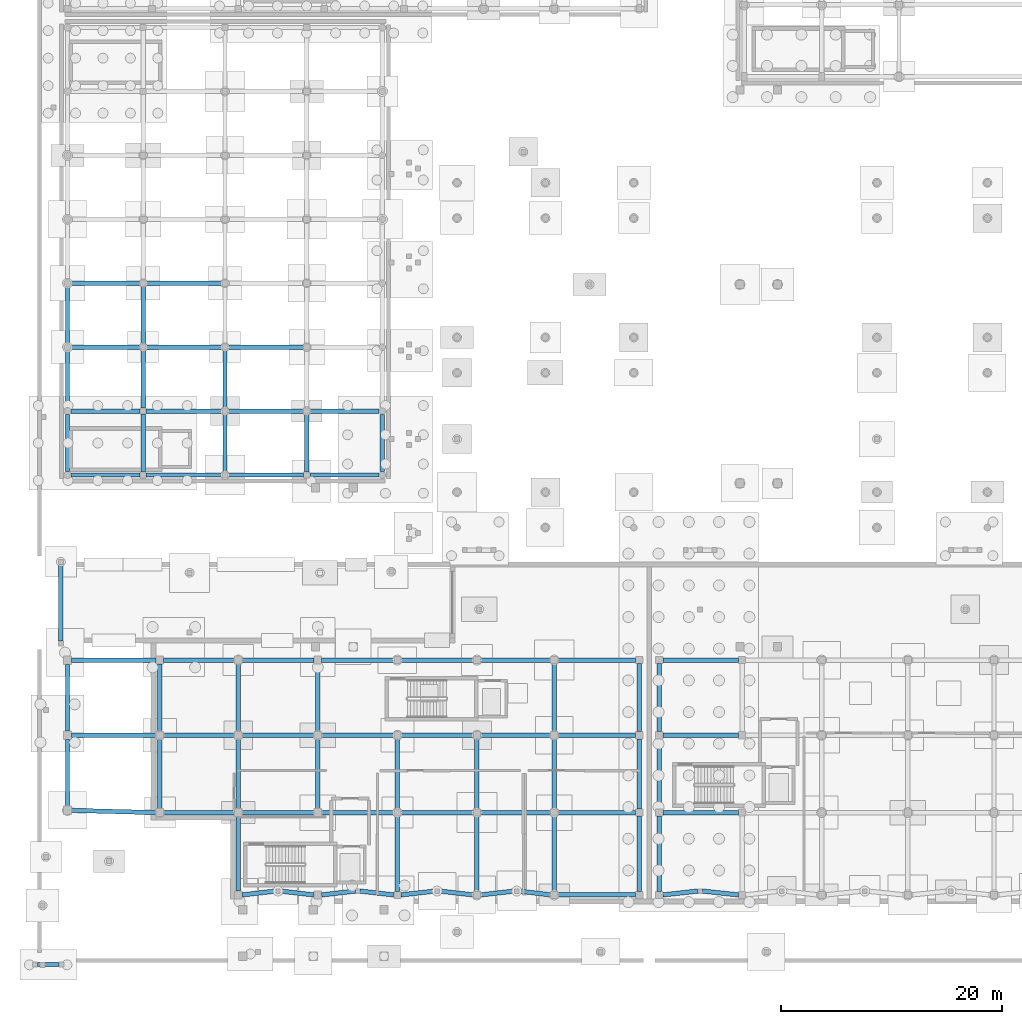
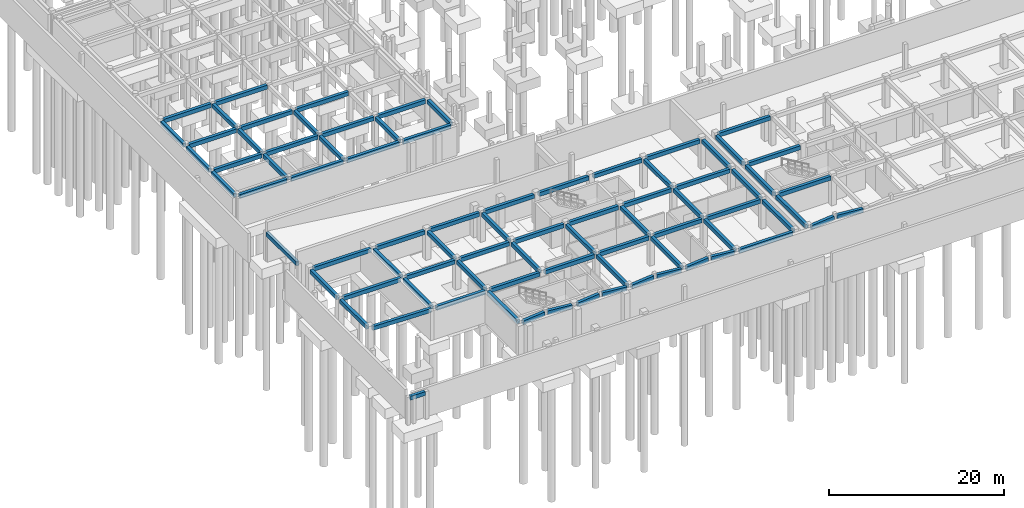
# One storey, part 10 of 22: 82 beams.
"""IFC4 building model written with IfcOpenShell, lengths in metres."""

from ifc_helpers import new_model, si_unit, direction, frame, origin, origin_2d, place, context, subcontext, project, spatial, rectangle, extrude, material, material_profile, profile_set, type_object, element, save


model = new_model("IFC4")

# Units and contexts
model_context = context("Model", 3, precision=1e-05, world=origin(), true_north=direction((0.0, 1.0)))
body_context = subcontext(model_context, "Body", "Model", "MODEL_VIEW")
ifc_project = project(units=[si_unit("LENGTHUNIT", "METRE"), si_unit("AREAUNIT", "SQUARE_METRE"), si_unit("VOLUMEUNIT", "CUBIC_METRE"), si_unit("PLANEANGLEUNIT", "RADIAN"), si_unit("MASSUNIT", "GRAM", prefix="KILO")], contexts=[model_context])

# Site, building, storey
site_placement = place(None, origin())
site = spatial("IfcSite", under=ifc_project, at=site_placement, CompositionType="ELEMENT")
building_placement = place(site_placement, origin())
building = spatial("IfcBuilding", under=site, at=building_placement, Name="Valcora Specialist Clinic", CompositionType="ELEMENT")
storey_placement = place(building_placement, frame((0.0, 0.0, -4.419921875)))
storey = spatial("IfcBuildingStorey", under=building, at=storey_placement, Name="B1", CompositionType="ELEMENT", Elevation=-4.419921875)

# Beams
ifc_material = material(Name="Concrete C35/45", Category="concrete")
ifc_material_profile = material_profile(ifc_material, rectangle(XDim=0.39990234375, YDim=0.550048828125, at=origin_2d()), Name="RC-TB-400X550")
ifc_profile_set = profile_set([ifc_material_profile], Name="Concrete C35/45")
beam_type = type_object("IfcBeamType", Name="TY-BM-TB400X550", PredefinedType="BEAM", material=ifc_profile_set)
beam_1_placement = place(storey_placement, frame((1.074951171875, 38.75, 3.844970703125), z_axis=(1.0, 0.0, 0.0), x_axis=(0.0, 1.0, 0.0)))
element("IfcBeam", 1, at=beam_1_placement, inside=storey, type_object=beam_type, Name="Beam BM-B1-0001", PredefinedType="BEAM", context=body_context, shape_type="SweptSolid", body=[
    extrude(rectangle(XDim=0.39990234375, YDim=0.550048828125, at=origin_2d()), origin(), (0.0, 0.0, 1.0), 6.25),
])
for number, where, z_axis, x_axis, name in (
    (2, (7.875, 38.75, 3.844970703125), (1.0, 0.0, 0.0), (0.0, 1.0, 0.0), "Beam BM-B1-0002"),
    (3, (15.27490234375, 38.75, 3.844970703125), (1.0, 0.0, 0.0), (0.0, 1.0, 0.0), "Beam BM-B1-0003"),
):
    element("IfcBeam", number, at=place(storey_placement, frame(where, z_axis=z_axis, x_axis=x_axis)), inside=storey, type_object=beam_type, Name=name, PredefinedType="BEAM", context=body_context, shape_type="SweptSolid", body=[
        extrude(rectangle(XDim=0.39990234375, YDim=0.550048828125, at=origin_2d()), origin(), (0.0, 0.0, 1.0), 6.85009765625),
    ])
beam_2_placement = place(storey_placement, frame((22.675048828125, 38.75, 3.844970703125), z_axis=(1.0, 0.0, 0.0), x_axis=(0.0, 1.0, 0.0)))
element("IfcBeam", 4, at=beam_2_placement, inside=storey, type_object=beam_type, Name="Beam BM-B1-0004", PredefinedType="BEAM", context=body_context, shape_type="SweptSolid", body=[
    extrude(rectangle(XDim=0.39990234375, YDim=0.550048828125, at=origin_2d()), origin(), (0.0, 0.0, 1.0), 6.27490234375),
])
beam_3_placement = place(storey_placement, frame((1.074951171875, 44.535888671875, 3.844970703125), z_axis=(1.0, 0.0, 0.0), x_axis=(0.0, 1.0, 0.0)))
element("IfcBeam", 5, at=beam_3_placement, inside=storey, type_object=beam_type, Name="Beam BM-B1-0005", PredefinedType="BEAM", context=body_context, shape_type="SweptSolid", body=[
    extrude(rectangle(XDim=0.39990234375, YDim=0.550048828125, at=origin_2d()), origin(), (0.0, 0.0, 1.0), 6.25),
])
for number, where, z_axis, x_axis, name in (
    (6, (7.875, 44.535888671875, 3.844970703125), (1.0, 0.0, 0.0), (0.0, 1.0, 0.0), "Beam BM-B1-0006"),
    (7, (15.27490234375, 44.535888671875, 3.844970703125), (1.0, 0.0, 0.0), (0.0, 1.0, 0.0), "Beam BM-B1-0007"),
):
    element("IfcBeam", number, at=place(storey_placement, frame(where, z_axis=z_axis, x_axis=x_axis)), inside=storey, type_object=beam_type, Name=name, PredefinedType="BEAM", context=body_context, shape_type="SweptSolid", body=[
        extrude(rectangle(XDim=0.39990234375, YDim=0.550048828125, at=origin_2d()), origin(), (0.0, 0.0, 1.0), 6.85009765625),
    ])
beam_4_placement = place(storey_placement, frame((22.675048828125, 44.535888671875, 3.844970703125), z_axis=(1.0, 0.0, 0.0), x_axis=(0.0, 1.0, 0.0)))
element("IfcBeam", 8, at=beam_4_placement, inside=storey, type_object=beam_type, Name="Beam BM-B1-0008", PredefinedType="BEAM", context=body_context, shape_type="SweptSolid", body=[
    extrude(rectangle(XDim=0.39990234375, YDim=0.550048828125, at=origin_2d()), origin(), (0.0, 0.0, 1.0), 6.27490234375),
])
beam_5_placement = place(storey_placement, frame((1.074951171875, 50.321044921875, 3.844970703125), z_axis=(1.0, 0.0, 0.0), x_axis=(0.0, 1.0, 0.0)))
element("IfcBeam", 9, at=beam_5_placement, inside=storey, type_object=beam_type, Name="Beam BM-B1-0009", PredefinedType="BEAM", context=body_context, shape_type="SweptSolid", body=[
    extrude(rectangle(XDim=0.39990234375, YDim=0.550048828125, at=origin_2d()), origin(), (0.0, 0.0, 1.0), 6.25),
])
for number, where, z_axis, x_axis, name in (
    (10, (7.875, 50.321044921875, 3.844970703125), (1.0, 0.0, 0.0), (0.0, 1.0, 0.0), "Beam BM-B1-0010"),
    (11, (15.27490234375, 50.321044921875, 3.844970703125), (1.0, 0.0, 0.0), (0.0, 1.0, 0.0), "Beam BM-B1-0011"),
):
    element("IfcBeam", number, at=place(storey_placement, frame(where, z_axis=z_axis, x_axis=x_axis)), inside=storey, type_object=beam_type, Name=name, PredefinedType="BEAM", context=body_context, shape_type="SweptSolid", body=[
        extrude(rectangle(XDim=0.39990234375, YDim=0.550048828125, at=origin_2d()), origin(), (0.0, 0.0, 1.0), 6.85009765625),
    ])
beam_6_placement = place(storey_placement, frame((1.074951171875, 56.10693359375, 3.844970703125), z_axis=(1.0, 0.0, 0.0), x_axis=(0.0, 1.0, 0.0)))
element("IfcBeam", 12, at=beam_6_placement, inside=storey, type_object=beam_type, Name="Beam BM-B1-0013", PredefinedType="BEAM", context=body_context, shape_type="SweptSolid", body=[
    extrude(rectangle(XDim=0.39990234375, YDim=0.550048828125, at=origin_2d()), origin(), (0.0, 0.0, 1.0), 6.25),
])
beam_7_placement = place(storey_placement, frame((7.875, 56.10693359375, 3.844970703125), z_axis=(1.0, 0.0, 0.0), x_axis=(0.0, 1.0, 0.0)))
element("IfcBeam", 13, at=beam_7_placement, inside=storey, type_object=beam_type, Name="Beam BM-B1-0014", PredefinedType="BEAM", context=body_context, shape_type="SweptSolid", body=[
    extrude(rectangle(XDim=0.39990234375, YDim=0.550048828125, at=origin_2d()), origin(), (0.0, 0.0, 1.0), 6.85009765625),
])
beam_8_placement = place(storey_placement, frame((0.75, 39.074951171875, 3.844970703125), z_axis=(0.0, 1.0, 0.0), x_axis=(-1.0, 0.0, 0.0)))
element("IfcBeam", 14, at=beam_8_placement, inside=storey, type_object=beam_type, Name="Beam BM-B1-0033", PredefinedType="BEAM", context=body_context, shape_type="SweptSolid", body=[
    extrude(rectangle(XDim=0.39990234375, YDim=0.550048828125, at=origin_2d()), origin(), (0.0, 0.0, 1.0), 5.135986328125),
])
beam_9_placement = place(storey_placement, frame((0.75, 44.861083984375, 3.844970703125), z_axis=(0.0, 1.0, 0.0), x_axis=(-1.0, 0.0, 0.0)))
element("IfcBeam", 15, at=beam_9_placement, inside=storey, type_object=beam_type, Name="Beam BM-B1-0034", PredefinedType="BEAM", context=body_context, shape_type="SweptSolid", body=[
    extrude(rectangle(XDim=0.39990234375, YDim=0.550048828125, at=origin_2d()), origin(), (0.0, 0.0, 1.0), 5.135009765625),
])
beam_10_placement = place(storey_placement, frame((0.75, 50.64599609375, 3.844970703125), z_axis=(0.0, 1.0, 0.0), x_axis=(-1.0, 0.0, 0.0)))
element("IfcBeam", 16, at=beam_10_placement, inside=storey, type_object=beam_type, Name="Beam BM-B1-0035", PredefinedType="BEAM", context=body_context, shape_type="SweptSolid", body=[
    extrude(rectangle(XDim=0.39990234375, YDim=0.550048828125, at=origin_2d()), origin(), (0.0, 0.0, 1.0), 5.135986328125),
])
beam_11_placement = place(storey_placement, frame((7.60009765625, 39.02490234375, 3.844970703125), z_axis=(0.0, 1.0, 0.0), x_axis=(-1.0, 0.0, 0.0)))
element("IfcBeam", 17, at=beam_11_placement, inside=storey, type_object=beam_type, Name="Beam BM-B1-0040", PredefinedType="BEAM", context=body_context, shape_type="SweptSolid", body=[
    extrude(rectangle(XDim=0.39990234375, YDim=0.550048828125, at=origin_2d()), origin(), (0.0, 0.0, 1.0), 5.236083984375),
])
beam_12_placement = place(storey_placement, frame((7.60009765625, 44.81103515625, 3.844970703125), z_axis=(0.0, 1.0, 0.0), x_axis=(-1.0, 0.0, 0.0)))
element("IfcBeam", 18, at=beam_12_placement, inside=storey, type_object=beam_type, Name="Beam BM-B1-0041", PredefinedType="BEAM", context=body_context, shape_type="SweptSolid", body=[
    extrude(rectangle(XDim=0.39990234375, YDim=0.550048828125, at=origin_2d()), origin(), (0.0, 0.0, 1.0), 5.23486328125),
])
for number, where, z_axis, x_axis, name in (
    (19, (7.60009765625, 50.595947265625, 3.844970703125), (0.0, 1.0, 0.0), (-1.0, 0.0, 0.0), "Beam BM-B1-0042"),
    (20, (15.0, 39.02490234375, 3.844970703125), (0.0, 1.0, 0.0), (-1.0, 0.0, 0.0), "Beam BM-B1-0047"),
):
    element("IfcBeam", number, at=place(storey_placement, frame(where, z_axis=z_axis, x_axis=x_axis)), inside=storey, type_object=beam_type, Name=name, PredefinedType="BEAM", context=body_context, shape_type="SweptSolid", body=[
        extrude(rectangle(XDim=0.39990234375, YDim=0.550048828125, at=origin_2d()), origin(), (0.0, 0.0, 1.0), 5.236083984375),
    ])
beam_13_placement = place(storey_placement, frame((15.0, 44.81103515625, 3.844970703125), z_axis=(0.0, 1.0, 0.0), x_axis=(-1.0, 0.0, 0.0)))
element("IfcBeam", 21, at=beam_13_placement, inside=storey, type_object=beam_type, Name="Beam BM-B1-0048", PredefinedType="BEAM", context=body_context, shape_type="SweptSolid", body=[
    extrude(rectangle(XDim=0.39990234375, YDim=0.550048828125, at=origin_2d()), origin(), (0.0, 0.0, 1.0), 5.23486328125),
])
beam_14_placement = place(storey_placement, frame((22.39990234375, 39.02490234375, 3.844970703125), z_axis=(0.0, 1.0, 0.0), x_axis=(-1.0, 0.0, 0.0)))
element("IfcBeam", 22, at=beam_14_placement, inside=storey, type_object=beam_type, Name="Beam BM-B1-0054", PredefinedType="BEAM", context=body_context, shape_type="SweptSolid", body=[
    extrude(rectangle(XDim=0.39990234375, YDim=0.550048828125, at=origin_2d()), origin(), (0.0, 0.0, 1.0), 5.236083984375),
])
beam_15_placement = place(storey_placement, frame((29.25, 39.050048828125, 3.844970703125), z_axis=(0.0, 1.0, 0.0), x_axis=(-1.0, 0.0, 0.0)))
element("IfcBeam", 23, at=beam_15_placement, inside=storey, type_object=beam_type, Name="Beam BM-B1-0061", PredefinedType="BEAM", context=body_context, shape_type="SweptSolid", body=[
    extrude(rectangle(XDim=0.39990234375, YDim=0.550048828125, at=origin_2d()), origin(), (0.0, 0.0, 1.0), 5.18603515625),
])
for number, where, z_axis, x_axis, name in (
    (24, (16.550048828125, 0.75, 3.829833984375), (0.993476675025, 0.114035504041, 0.0), (-0.114035504041, 0.993476675025, 0.0), "Beam BM-B1-0832"),
    (25, (20.0, 1.10009765625, 3.829833984375), (0.993476675025, -0.114035504041, 0.0), (0.114035504041, 0.993476675025, 0.0), "Beam BM-B1-0833"),
    (26, (23.75, 0.75, 3.829833984375), (0.993476675025, 0.114035504041, 0.0), (-0.114035504041, 0.993476675025, 0.0), "Beam BM-B1-0834"),
):
    element("IfcBeam", number, at=place(storey_placement, frame(where, z_axis=z_axis, x_axis=x_axis)), inside=storey, type_object=beam_type, Name=name, PredefinedType="BEAM", context=body_context, shape_type="SweptSolid", body=[
        extrude(rectangle(XDim=0.39990234375, YDim=0.550048828125, at=origin_2d()), origin(), (0.0, 0.0, 1.0), 3.070068359375),
    ])
for number, where, z_axis, x_axis, name in (
    (27, (27.199951171875, 1.10009765625, 3.829833984375), (0.993580893822, -0.113123858812, 0.0), (0.113123858812, 0.993580893822, 0.0), "Beam BM-B1-0835"),
    (28, (30.925048828125, 0.75, 3.829833984375), (0.993580893822, 0.113123858812, 0.0), (-0.113123858812, 0.993580893822, 0.0), "Beam BM-B1-0836"),
):
    element("IfcBeam", number, at=place(storey_placement, frame(where, z_axis=z_axis, x_axis=x_axis)), inside=storey, type_object=beam_type, Name=name, PredefinedType="BEAM", context=body_context, shape_type="SweptSolid", body=[
        extrude(rectangle(XDim=0.39990234375, YDim=0.550048828125, at=origin_2d()), origin(), (0.0, 0.0, 1.0), 3.0947265625),
    ])
beam_16_placement = place(storey_placement, frame((34.39990234375, 1.10009765625, 3.829833984375), z_axis=(0.99358190322, -0.113114992793, 0.0), x_axis=(0.113114992793, 0.99358190322, 0.0)))
element("IfcBeam", 29, at=beam_16_placement, inside=storey, type_object=beam_type, Name="Beam BM-B1-0837", PredefinedType="BEAM", context=body_context, shape_type="SweptSolid", body=[
    extrude(rectangle(XDim=0.39990234375, YDim=0.550048828125, at=origin_2d()), origin(), (0.0, 0.0, 1.0), 3.094970703125),
])
beam_17_placement = place(storey_placement, frame((38.125, 0.75, 3.829833984375), z_axis=(0.993580893822, 0.113123858812, 0.0), x_axis=(-0.113123858812, 0.993580893822, 0.0)))
element("IfcBeam", 30, at=beam_17_placement, inside=storey, type_object=beam_type, Name="Beam BM-B1-0838", PredefinedType="BEAM", context=body_context, shape_type="SweptSolid", body=[
    extrude(rectangle(XDim=0.39990234375, YDim=0.550048828125, at=origin_2d()), origin(), (0.0, 0.0, 1.0), 3.0947265625),
])
beam_18_placement = place(storey_placement, frame((41.60009765625, 1.10009765625, 3.829833984375), z_axis=(0.992667109146, -0.120880148991, 0.0), x_axis=(0.120880148991, 0.992667109146, 0.0)))
element("IfcBeam", 31, at=beam_18_placement, inside=storey, type_object=beam_type, Name="Beam BM-B1-0839", PredefinedType="BEAM", context=body_context, shape_type="SweptSolid", body=[
    extrude(rectangle(XDim=0.39990234375, YDim=0.550048828125, at=origin_2d()), origin(), (0.0, 0.0, 1.0), 2.896240234375),
])
beam_19_placement = place(storey_placement, frame((45.125, 0.75, 3.829833984375), z_axis=(1.0, 0.0, 0.0), x_axis=(0.0, 1.0, 0.0)))
element("IfcBeam", 32, at=beam_19_placement, inside=storey, type_object=beam_type, Name="Beam BM-B1-0840", PredefinedType="BEAM", context=body_context, shape_type="SweptSolid", body=[
    extrude(rectangle(XDim=0.39990234375, YDim=0.550048828125, at=origin_2d()), origin(), (0.0, 0.0, 1.0), 7.050048828125),
])
beam_20_placement = place(storey_placement, frame((1.125, 8.39990234375, 3.829833984375), z_axis=(0.999656351617, -0.026214092981, 0.0), x_axis=(0.026214092981, 0.999656351617, 0.0)))
element("IfcBeam", 33, at=beam_20_placement, inside=storey, type_object=beam_type, Name="Beam BM-B1-0841", PredefinedType="BEAM", context=body_context, shape_type="SweptSolid", body=[
    extrude(rectangle(XDim=0.39990234375, YDim=0.550048828125, at=origin_2d()), origin(), (0.0, 0.0, 1.0), 7.627685546875),
])
beam_21_placement = place(storey_placement, frame((9.449951171875, 8.199951171875, 3.829833984375), z_axis=(1.0, 0.0, 0.0), x_axis=(0.0, 1.0, 0.0)))
element("IfcBeam", 34, at=beam_21_placement, inside=storey, type_object=beam_type, Name="Beam BM-B1-0842", PredefinedType="BEAM", context=body_context, shape_type="SweptSolid", body=[
    extrude(rectangle(XDim=0.39990234375, YDim=0.550048828125, at=origin_2d()), origin(), (0.0, 0.0, 1.0), 6.400146484375),
])
beam_22_placement = place(storey_placement, frame((16.550048828125, 8.199951171875, 3.829833984375), z_axis=(1.0, 0.0, 0.0), x_axis=(0.0, 1.0, 0.0)))
element("IfcBeam", 35, at=beam_22_placement, inside=storey, type_object=beam_type, Name="Beam BM-B1-0843", PredefinedType="BEAM", context=body_context, shape_type="SweptSolid", body=[
    extrude(rectangle(XDim=0.39990234375, YDim=0.550048828125, at=origin_2d()), origin(), (0.0, 0.0, 1.0), 6.5),
])
beam_23_placement = place(storey_placement, frame((23.75, 8.199951171875, 3.829833984375), z_axis=(1.0, 0.0, 0.0), x_axis=(0.0, 1.0, 0.0)))
element("IfcBeam", 36, at=beam_23_placement, inside=storey, type_object=beam_type, Name="Beam BM-B1-0844", PredefinedType="BEAM", context=body_context, shape_type="SweptSolid", body=[
    extrude(rectangle(XDim=0.39990234375, YDim=0.550048828125, at=origin_2d()), origin(), (0.0, 0.0, 1.0), 6.52490234375),
])
beam_24_placement = place(storey_placement, frame((30.925048828125, 8.199951171875, 3.829833984375), z_axis=(1.0, 0.0, 0.0), x_axis=(0.0, 1.0, 0.0)))
element("IfcBeam", 37, at=beam_24_placement, inside=storey, type_object=beam_type, Name="Beam BM-B1-0845", PredefinedType="BEAM", context=body_context, shape_type="SweptSolid", body=[
    extrude(rectangle(XDim=0.39990234375, YDim=0.550048828125, at=origin_2d()), origin(), (0.0, 0.0, 1.0), 6.550048828125),
])
beam_25_placement = place(storey_placement, frame((38.125, 8.199951171875, 3.829833984375), z_axis=(1.0, 0.0, 0.0), x_axis=(0.0, 1.0, 0.0)))
element("IfcBeam", 38, at=beam_25_placement, inside=storey, type_object=beam_type, Name="Beam BM-B1-0846", PredefinedType="BEAM", context=body_context, shape_type="SweptSolid", body=[
    extrude(rectangle(XDim=0.39990234375, YDim=0.550048828125, at=origin_2d()), origin(), (0.0, 0.0, 1.0), 6.35009765625),
])
beam_26_placement = place(storey_placement, frame((45.125, 8.199951171875, 3.829833984375), z_axis=(1.0, 0.0, 0.0), x_axis=(0.0, 1.0, 0.0)))
element("IfcBeam", 39, at=beam_26_placement, inside=storey, type_object=beam_type, Name="Beam BM-B1-0847", PredefinedType="BEAM", context=body_context, shape_type="SweptSolid", body=[
    extrude(rectangle(XDim=0.39990234375, YDim=0.550048828125, at=origin_2d()), origin(), (0.0, 0.0, 1.0), 7.050048828125),
])
beam_27_placement = place(storey_placement, frame((1.125, 15.199951171875, 3.829833984375), z_axis=(1.0, 0.0, 0.0), x_axis=(0.0, 1.0, 0.0)))
element("IfcBeam", 40, at=beam_27_placement, inside=storey, type_object=beam_type, Name="Beam BM-B1-0848", PredefinedType="BEAM", context=body_context, shape_type="SweptSolid", body=[
    extrude(rectangle(XDim=0.39990234375, YDim=0.550048828125, at=origin_2d()), origin(), (0.0, 0.0, 1.0), 7.625),
])
beam_28_placement = place(storey_placement, frame((9.449951171875, 15.199951171875, 3.829833984375), z_axis=(1.0, 0.0, 0.0), x_axis=(0.0, 1.0, 0.0)))
element("IfcBeam", 41, at=beam_28_placement, inside=storey, type_object=beam_type, Name="Beam BM-B1-0849", PredefinedType="BEAM", context=body_context, shape_type="SweptSolid", body=[
    extrude(rectangle(XDim=0.39990234375, YDim=0.550048828125, at=origin_2d()), origin(), (0.0, 0.0, 1.0), 6.400146484375),
])
beam_29_placement = place(storey_placement, frame((16.550048828125, 15.199951171875, 3.829833984375), z_axis=(1.0, 0.0, 0.0), x_axis=(0.0, 1.0, 0.0)))
element("IfcBeam", 42, at=beam_29_placement, inside=storey, type_object=beam_type, Name="Beam BM-B1-0850", PredefinedType="BEAM", context=body_context, shape_type="SweptSolid", body=[
    extrude(rectangle(XDim=0.39990234375, YDim=0.550048828125, at=origin_2d()), origin(), (0.0, 0.0, 1.0), 6.5),
])
beam_30_placement = place(storey_placement, frame((23.75, 15.199951171875, 3.829833984375), z_axis=(1.0, 0.0, 0.0), x_axis=(0.0, 1.0, 0.0)))
element("IfcBeam", 43, at=beam_30_placement, inside=storey, type_object=beam_type, Name="Beam BM-B1-0851", PredefinedType="BEAM", context=body_context, shape_type="SweptSolid", body=[
    extrude(rectangle(XDim=0.39990234375, YDim=0.550048828125, at=origin_2d()), origin(), (0.0, 0.0, 1.0), 6.52490234375),
])
beam_31_placement = place(storey_placement, frame((30.925048828125, 15.199951171875, 3.829833984375), z_axis=(1.0, 0.0, 0.0), x_axis=(0.0, 1.0, 0.0)))
element("IfcBeam", 44, at=beam_31_placement, inside=storey, type_object=beam_type, Name="Beam BM-B1-0852", PredefinedType="BEAM", context=body_context, shape_type="SweptSolid", body=[
    extrude(rectangle(XDim=0.39990234375, YDim=0.550048828125, at=origin_2d()), origin(), (0.0, 0.0, 1.0), 6.550048828125),
])
beam_32_placement = place(storey_placement, frame((38.125, 15.199951171875, 3.829833984375), z_axis=(1.0, 0.0, 0.0), x_axis=(0.0, 1.0, 0.0)))
element("IfcBeam", 45, at=beam_32_placement, inside=storey, type_object=beam_type, Name="Beam BM-B1-0853", PredefinedType="BEAM", context=body_context, shape_type="SweptSolid", body=[
    extrude(rectangle(XDim=0.39990234375, YDim=0.550048828125, at=origin_2d()), origin(), (0.0, 0.0, 1.0), 6.35009765625),
])
beam_33_placement = place(storey_placement, frame((45.125, 15.199951171875, 3.829833984375), z_axis=(1.0, 0.0, 0.0), x_axis=(0.0, 1.0, 0.0)))
element("IfcBeam", 46, at=beam_33_placement, inside=storey, type_object=beam_type, Name="Beam BM-B1-0854", PredefinedType="BEAM", context=body_context, shape_type="SweptSolid", body=[
    extrude(rectangle(XDim=0.39990234375, YDim=0.550048828125, at=origin_2d()), origin(), (0.0, 0.0, 1.0), 7.050048828125),
])
beam_34_placement = place(storey_placement, frame((1.125, 22.0, 3.829833984375), z_axis=(1.0, 0.0, 0.0), x_axis=(0.0, 1.0, 0.0)))
element("IfcBeam", 47, at=beam_34_placement, inside=storey, type_object=beam_type, Name="Beam BM-B1-0855", PredefinedType="BEAM", context=body_context, shape_type="SweptSolid", body=[
    extrude(rectangle(XDim=0.39990234375, YDim=0.550048828125, at=origin_2d()), origin(), (0.0, 0.0, 1.0), 7.625),
])
beam_35_placement = place(storey_placement, frame((9.449951171875, 22.0, 3.829833984375), z_axis=(1.0, 0.0, 0.0), x_axis=(0.0, 1.0, 0.0)))
element("IfcBeam", 48, at=beam_35_placement, inside=storey, type_object=beam_type, Name="Beam BM-B1-0856", PredefinedType="BEAM", context=body_context, shape_type="SweptSolid", body=[
    extrude(rectangle(XDim=0.39990234375, YDim=0.550048828125, at=origin_2d()), origin(), (0.0, 0.0, 1.0), 6.400146484375),
])
beam_36_placement = place(storey_placement, frame((16.550048828125, 22.0, 3.829833984375), z_axis=(1.0, 0.0, 0.0), x_axis=(0.0, 1.0, 0.0)))
element("IfcBeam", 49, at=beam_36_placement, inside=storey, type_object=beam_type, Name="Beam BM-B1-0857", PredefinedType="BEAM", context=body_context, shape_type="SweptSolid", body=[
    extrude(rectangle(XDim=0.39990234375, YDim=0.550048828125, at=origin_2d()), origin(), (0.0, 0.0, 1.0), 6.5),
])
beam_37_placement = place(storey_placement, frame((23.75, 22.0, 3.829833984375), z_axis=(1.0, 0.0, 0.0), x_axis=(0.0, 1.0, 0.0)))
element("IfcBeam", 50, at=beam_37_placement, inside=storey, type_object=beam_type, Name="Beam BM-B1-0858", PredefinedType="BEAM", context=body_context, shape_type="SweptSolid", body=[
    extrude(rectangle(XDim=0.39990234375, YDim=0.550048828125, at=origin_2d()), origin(), (0.0, 0.0, 1.0), 6.52490234375),
])
beam_38_placement = place(storey_placement, frame((30.925048828125, 22.0, 3.829833984375), z_axis=(1.0, 0.0, 0.0), x_axis=(0.0, 1.0, 0.0)))
element("IfcBeam", 51, at=beam_38_placement, inside=storey, type_object=beam_type, Name="Beam BM-B1-0859", PredefinedType="BEAM", context=body_context, shape_type="SweptSolid", body=[
    extrude(rectangle(XDim=0.39990234375, YDim=0.550048828125, at=origin_2d()), origin(), (0.0, 0.0, 1.0), 6.550048828125),
])
beam_39_placement = place(storey_placement, frame((38.125, 22.0, 3.829833984375), z_axis=(1.0, 0.0, 0.0), x_axis=(0.0, 1.0, 0.0)))
element("IfcBeam", 52, at=beam_39_placement, inside=storey, type_object=beam_type, Name="Beam BM-B1-0860", PredefinedType="BEAM", context=body_context, shape_type="SweptSolid", body=[
    extrude(rectangle(XDim=0.39990234375, YDim=0.550048828125, at=origin_2d()), origin(), (0.0, 0.0, 1.0), 6.35009765625),
])
beam_40_placement = place(storey_placement, frame((45.125, 22.0, 3.829833984375), z_axis=(1.0, 0.0, 0.0), x_axis=(0.0, 1.0, 0.0)))
element("IfcBeam", 53, at=beam_40_placement, inside=storey, type_object=beam_type, Name="Beam BM-B1-0861", PredefinedType="BEAM", context=body_context, shape_type="SweptSolid", body=[
    extrude(rectangle(XDim=0.39990234375, YDim=0.550048828125, at=origin_2d()), origin(), (0.0, 0.0, 1.0), 7.050048828125),
])
for number, where, z_axis, x_axis, name in (
    (54, (0.75, 8.77490234375, 3.829833984375), (0.0, 1.0, 0.0), (-1.0, 0.0, 0.0), "Beam BM-B1-0862"),
    (55, (0.75, 15.574951171875, 3.829833984375), (0.0, 1.0, 0.0), (-1.0, 0.0, 0.0), "Beam BM-B1-0863"),
):
    element("IfcBeam", number, at=place(storey_placement, frame(where, z_axis=z_axis, x_axis=x_axis)), inside=storey, type_object=beam_type, Name=name, PredefinedType="BEAM", context=body_context, shape_type="SweptSolid", body=[
        extrude(rectangle(XDim=0.39990234375, YDim=0.550048828125, at=origin_2d()), origin(), (0.0, 0.0, 1.0), 6.050048828125),
    ])
beam_41_placement = place(storey_placement, frame((9.10009765625, 8.550048828125, 3.829833984375), z_axis=(0.0, 1.0, 0.0), x_axis=(-1.0, 0.0, 0.0)))
element("IfcBeam", 56, at=beam_41_placement, inside=storey, type_object=beam_type, Name="Beam BM-B1-0864", PredefinedType="BEAM", context=body_context, shape_type="SweptSolid", body=[
    extrude(rectangle(XDim=0.39990234375, YDim=0.550048828125, at=origin_2d()), origin(), (0.0, 0.0, 1.0), 6.300048828125),
])
beam_42_placement = place(storey_placement, frame((9.10009765625, 15.550048828125, 3.829833984375), z_axis=(0.0, 1.0, 0.0), x_axis=(-1.0, 0.0, 0.0)))
element("IfcBeam", 57, at=beam_42_placement, inside=storey, type_object=beam_type, Name="Beam BM-B1-0865", PredefinedType="BEAM", context=body_context, shape_type="SweptSolid", body=[
    extrude(rectangle(XDim=0.39990234375, YDim=0.550048828125, at=origin_2d()), origin(), (0.0, 0.0, 1.0), 6.099853515625),
])
beam_43_placement = place(storey_placement, frame((16.199951171875, 1.10009765625, 3.829833984375), z_axis=(0.0, 1.0, 0.0), x_axis=(-1.0, 0.0, 0.0)))
element("IfcBeam", 58, at=beam_43_placement, inside=storey, type_object=beam_type, Name="Beam BM-B1-0866", PredefinedType="BEAM", context=body_context, shape_type="SweptSolid", body=[
    extrude(rectangle(XDim=0.39990234375, YDim=0.550048828125, at=origin_2d()), origin(), (0.0, 0.0, 1.0), 6.75),
])
beam_44_placement = place(storey_placement, frame((16.199951171875, 8.550048828125, 3.829833984375), z_axis=(0.0, 1.0, 0.0), x_axis=(-1.0, 0.0, 0.0)))
element("IfcBeam", 59, at=beam_44_placement, inside=storey, type_object=beam_type, Name="Beam BM-B1-0867", PredefinedType="BEAM", context=body_context, shape_type="SweptSolid", body=[
    extrude(rectangle(XDim=0.39990234375, YDim=0.550048828125, at=origin_2d()), origin(), (0.0, 0.0, 1.0), 6.300048828125),
])
beam_45_placement = place(storey_placement, frame((16.199951171875, 15.550048828125, 3.829833984375), z_axis=(0.0, 1.0, 0.0), x_axis=(-1.0, 0.0, 0.0)))
element("IfcBeam", 60, at=beam_45_placement, inside=storey, type_object=beam_type, Name="Beam BM-B1-0868", PredefinedType="BEAM", context=body_context, shape_type="SweptSolid", body=[
    extrude(rectangle(XDim=0.39990234375, YDim=0.550048828125, at=origin_2d()), origin(), (0.0, 0.0, 1.0), 6.099853515625),
])
beam_46_placement = place(storey_placement, frame((23.39990234375, 8.550048828125, 3.829833984375), z_axis=(0.0, 1.0, 0.0), x_axis=(-1.0, 0.0, 0.0)))
element("IfcBeam", 61, at=beam_46_placement, inside=storey, type_object=beam_type, Name="Beam BM-B1-0869", PredefinedType="BEAM", context=body_context, shape_type="SweptSolid", body=[
    extrude(rectangle(XDim=0.39990234375, YDim=0.550048828125, at=origin_2d()), origin(), (0.0, 0.0, 1.0), 6.300048828125),
])
beam_47_placement = place(storey_placement, frame((23.39990234375, 15.550048828125, 3.829833984375), z_axis=(0.0, 1.0, 0.0), x_axis=(-1.0, 0.0, 0.0)))
element("IfcBeam", 62, at=beam_47_placement, inside=storey, type_object=beam_type, Name="Beam BM-B1-0870", PredefinedType="BEAM", context=body_context, shape_type="SweptSolid", body=[
    extrude(rectangle(XDim=0.39990234375, YDim=0.550048828125, at=origin_2d()), origin(), (0.0, 0.0, 1.0), 6.099853515625),
])
beam_48_placement = place(storey_placement, frame((30.60009765625, 1.074951171875, 3.829833984375), z_axis=(0.0, 1.0, 0.0), x_axis=(-1.0, 0.0, 0.0)))
element("IfcBeam", 63, at=beam_48_placement, inside=storey, type_object=beam_type, Name="Beam BM-B1-0871", PredefinedType="BEAM", context=body_context, shape_type="SweptSolid", body=[
    extrude(rectangle(XDim=0.39990234375, YDim=0.550048828125, at=origin_2d()), origin(), (0.0, 0.0, 1.0), 6.800048828125),
])
beam_49_placement = place(storey_placement, frame((30.60009765625, 8.52490234375, 3.829833984375), z_axis=(0.0, 1.0, 0.0), x_axis=(-1.0, 0.0, 0.0)))
element("IfcBeam", 64, at=beam_49_placement, inside=storey, type_object=beam_type, Name="Beam BM-B1-0872", PredefinedType="BEAM", context=body_context, shape_type="SweptSolid", body=[
    extrude(rectangle(XDim=0.39990234375, YDim=0.550048828125, at=origin_2d()), origin(), (0.0, 0.0, 1.0), 6.35009765625),
])
beam_50_placement = place(storey_placement, frame((37.800048828125, 1.074951171875, 3.829833984375), z_axis=(0.0, 1.0, 0.0), x_axis=(-1.0, 0.0, 0.0)))
element("IfcBeam", 65, at=beam_50_placement, inside=storey, type_object=beam_type, Name="Beam BM-B1-0873", PredefinedType="BEAM", context=body_context, shape_type="SweptSolid", body=[
    extrude(rectangle(XDim=0.39990234375, YDim=0.550048828125, at=origin_2d()), origin(), (0.0, 0.0, 1.0), 6.800048828125),
])
beam_51_placement = place(storey_placement, frame((37.800048828125, 8.52490234375, 3.829833984375), z_axis=(0.0, 1.0, 0.0), x_axis=(-1.0, 0.0, 0.0)))
element("IfcBeam", 66, at=beam_51_placement, inside=storey, type_object=beam_type, Name="Beam BM-B1-0874", PredefinedType="BEAM", context=body_context, shape_type="SweptSolid", body=[
    extrude(rectangle(XDim=0.39990234375, YDim=0.550048828125, at=origin_2d()), origin(), (0.0, 0.0, 1.0), 6.35009765625),
])
beam_52_placement = place(storey_placement, frame((44.800048828125, 1.074951171875, 3.829833984375), z_axis=(0.0, 1.0, 0.0), x_axis=(-1.0, 0.0, 0.0)))
element("IfcBeam", 67, at=beam_52_placement, inside=storey, type_object=beam_type, Name="Beam BM-B1-0875", PredefinedType="BEAM", context=body_context, shape_type="SweptSolid", body=[
    extrude(rectangle(XDim=0.39990234375, YDim=0.550048828125, at=origin_2d()), origin(), (0.0, 0.0, 1.0), 6.800048828125),
])
beam_53_placement = place(storey_placement, frame((44.800048828125, 8.52490234375, 3.829833984375), z_axis=(0.0, 1.0, 0.0), x_axis=(-1.0, 0.0, 0.0)))
element("IfcBeam", 68, at=beam_53_placement, inside=storey, type_object=beam_type, Name="Beam BM-B1-0876", PredefinedType="BEAM", context=body_context, shape_type="SweptSolid", body=[
    extrude(rectangle(XDim=0.39990234375, YDim=0.550048828125, at=origin_2d()), origin(), (0.0, 0.0, 1.0), 6.35009765625),
])
beam_54_placement = place(storey_placement, frame((44.800048828125, 15.52490234375, 3.829833984375), z_axis=(0.0, 1.0, 0.0), x_axis=(-1.0, 0.0, 0.0)))
element("IfcBeam", 69, at=beam_54_placement, inside=storey, type_object=beam_type, Name="Beam BM-B1-0877", PredefinedType="BEAM", context=body_context, shape_type="SweptSolid", body=[
    extrude(rectangle(XDim=0.39990234375, YDim=0.550048828125, at=origin_2d()), origin(), (0.0, 0.0, 1.0), 6.150146484375),
])
beam_55_placement = place(storey_placement, frame((52.5, 1.074951171875, 3.829833984375), z_axis=(0.0, 1.0, 0.0), x_axis=(-1.0, 0.0, 0.0)))
element("IfcBeam", 70, at=beam_55_placement, inside=storey, type_object=beam_type, Name="Beam BM-B1-0878", PredefinedType="BEAM", context=body_context, shape_type="SweptSolid", body=[
    extrude(rectangle(XDim=0.39990234375, YDim=0.550048828125, at=origin_2d()), origin(), (0.0, 0.0, 1.0), 6.800048828125),
])
beam_56_placement = place(storey_placement, frame((52.5, 8.52490234375, 3.829833984375), z_axis=(0.0, 1.0, 0.0), x_axis=(-1.0, 0.0, 0.0)))
element("IfcBeam", 71, at=beam_56_placement, inside=storey, type_object=beam_type, Name="Beam BM-B1-0879", PredefinedType="BEAM", context=body_context, shape_type="SweptSolid", body=[
    extrude(rectangle(XDim=0.39990234375, YDim=0.550048828125, at=origin_2d()), origin(), (0.0, 0.0, 1.0), 6.35009765625),
])
beam_57_placement = place(storey_placement, frame((52.5, 15.52490234375, 3.829833984375), z_axis=(0.0, 1.0, 0.0), x_axis=(-1.0, 0.0, 0.0)))
element("IfcBeam", 72, at=beam_57_placement, inside=storey, type_object=beam_type, Name="Beam BM-B1-0880", PredefinedType="BEAM", context=body_context, shape_type="SweptSolid", body=[
    extrude(rectangle(XDim=0.39990234375, YDim=0.550048828125, at=origin_2d()), origin(), (0.0, 0.0, 1.0), 6.150146484375),
])
beam_58_placement = place(storey_placement, frame((54.625, 0.75, 3.81494140625), z_axis=(0.993975663273, 0.109601007392, 0.0), x_axis=(-0.109601007392, 0.993975663273, 0.0)))
element("IfcBeam", 73, at=beam_58_placement, inside=storey, type_object=beam_type, Name="Beam BM-B1-1149", PredefinedType="BEAM", context=body_context, shape_type="SweptSolid", body=[
    extrude(rectangle(XDim=0.39990234375, YDim=0.550048828125, at=origin_2d()), origin(), (0.0, 0.0, 1.0), 3.1943359375),
])
beam_59_placement = place(storey_placement, frame((58.199951171875, 1.10009765625, 3.81494140625), z_axis=(0.994335202062, -0.106289726408, 0.0), x_axis=(0.106289726408, 0.994335202062, 0.0)))
element("IfcBeam", 74, at=beam_59_placement, inside=storey, type_object=beam_type, Name="Beam BM-B1-1150", PredefinedType="BEAM", context=body_context, shape_type="SweptSolid", body=[
    extrude(rectangle(XDim=0.39990234375, YDim=0.550048828125, at=origin_2d()), origin(), (0.0, 0.0, 1.0), 3.293701171875),
])
for number, where, z_axis, x_axis, name in (
    (75, (54.625, 8.199951171875, 3.81494140625), (1.0, 0.0, 0.0), (0.0, 1.0, 0.0), "Beam BM-B1-1164"),
    (76, (54.625, 15.199951171875, 3.81494140625), (1.0, 0.0, 0.0), (0.0, 1.0, 0.0), "Beam BM-B1-1173"),
    (77, (54.625, 22.0, 3.81494140625), (1.0, 0.0, 0.0), (0.0, 1.0, 0.0), "Beam BM-B1-1182"),
):
    element("IfcBeam", number, at=place(storey_placement, frame(where, z_axis=z_axis, x_axis=x_axis)), inside=storey, type_object=beam_type, Name=name, PredefinedType="BEAM", context=body_context, shape_type="SweptSolid", body=[
        extrude(rectangle(XDim=0.39990234375, YDim=0.550048828125, at=origin_2d()), origin(), (0.0, 0.0, 1.0), 6.85009765625),
    ])
beam_60_placement = place(storey_placement, frame((54.300048828125, 1.074951171875, 3.81494140625), z_axis=(0.0, 1.0, 0.0), x_axis=(-1.0, 0.0, 0.0)))
element("IfcBeam", 78, at=beam_60_placement, inside=storey, type_object=beam_type, Name="Beam BM-B1-1191", PredefinedType="BEAM", context=body_context, shape_type="SweptSolid", body=[
    extrude(rectangle(XDim=0.39990234375, YDim=0.550048828125, at=origin_2d()), origin(), (0.0, 0.0, 1.0), 6.800048828125),
])
beam_61_placement = place(storey_placement, frame((54.300048828125, 8.52490234375, 3.81494140625), z_axis=(0.0, 1.0, 0.0), x_axis=(-1.0, 0.0, 0.0)))
element("IfcBeam", 79, at=beam_61_placement, inside=storey, type_object=beam_type, Name="Beam BM-B1-1192", PredefinedType="BEAM", context=body_context, shape_type="SweptSolid", body=[
    extrude(rectangle(XDim=0.39990234375, YDim=0.550048828125, at=origin_2d()), origin(), (0.0, 0.0, 1.0), 6.35009765625),
])
beam_62_placement = place(storey_placement, frame((54.300048828125, 15.52490234375, 3.81494140625), z_axis=(0.0, 1.0, 0.0), x_axis=(-1.0, 0.0, 0.0)))
element("IfcBeam", 80, at=beam_62_placement, inside=storey, type_object=beam_type, Name="Beam BM-B1-1193", PredefinedType="BEAM", context=body_context, shape_type="SweptSolid", body=[
    extrude(rectangle(XDim=0.39990234375, YDim=0.550048828125, at=origin_2d()), origin(), (0.0, 0.0, 1.0), 6.150146484375),
])
beam_63_placement = place(storey_placement, frame((0.14990234375, 23.72509765625, 3.824951171875), z_axis=(0.0, 1.0, 0.0), x_axis=(-1.0, 0.0, 0.0)))
element("IfcBeam", 81, at=beam_63_placement, inside=storey, type_object=beam_type, Name="Ramp threshold beam BM-RTH-01", PredefinedType="BEAM", context=body_context, shape_type="SweptSolid", body=[
    extrude(rectangle(XDim=0.39990234375, YDim=0.550048828125, at=origin_2d()), origin(), (0.0, 0.0, 1.0), 6.949951171875),
])
beam_64_placement = place(storey_placement, frame((-1.97509765625, -5.550048828125, 3.625), z_axis=(1.0, 0.0, 0.0), x_axis=(0.0, 1.0, 0.0)))
element("IfcBeam", 82, at=beam_64_placement, inside=storey, type_object=beam_type, Name="Ramp threshold beam BM-RTH-02", PredefinedType="BEAM", context=body_context, shape_type="SweptSolid", body=[
    extrude(rectangle(XDim=0.39990234375, YDim=0.550048828125, at=origin_2d()), origin(), (0.0, 0.0, 1.0), 1.9501953125),
])

save(model, "model.ifc")
